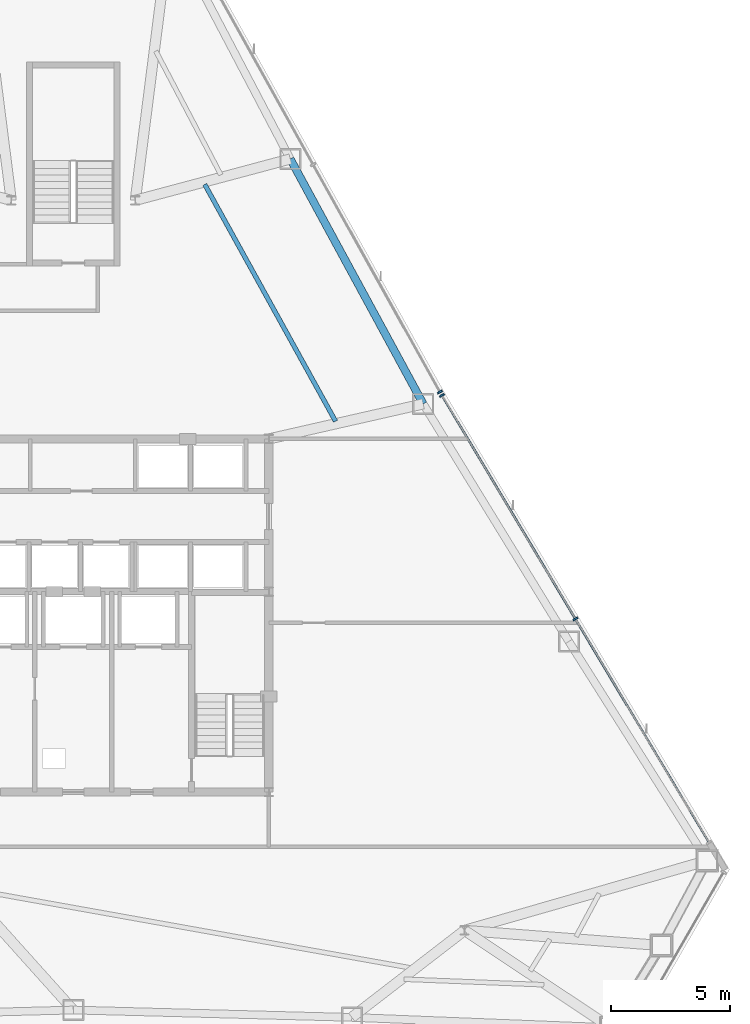
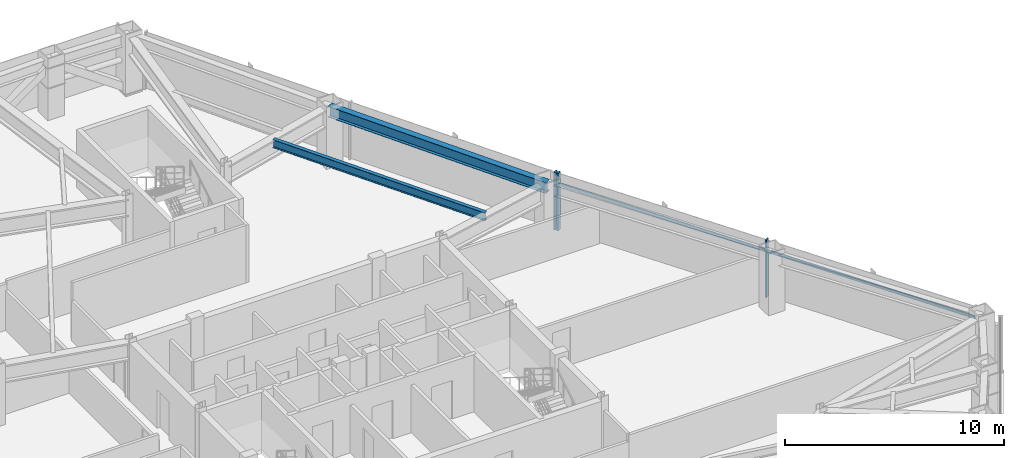
# One storey, part 7 of 13: 4 members, 2 beams, 2 elements without a shape of their own.
"""IFC4 building model written with IfcOpenShell, lengths in metres."""

from ifc_helpers import new_model, si_unit, direction, frame, origin, origin_2d, place, context, subcontext, project, spatial, rectangle, i_section, extrude, source, transform, mapped, material, layer, layer_set, material_profile, profile_set, type_object, type_shapes, element, aggregate, save


model = new_model("IFC4")

# Units and contexts
model_context = context("Model", 3, precision=1e-05, world=origin(), true_north=direction((0.0, 1.0)))
body_context = subcontext(model_context, "Body", "Model", "MODEL_VIEW")
ifc_project = project(units=[si_unit("LENGTHUNIT", "METRE"), si_unit("AREAUNIT", "SQUARE_METRE"), si_unit("VOLUMEUNIT", "CUBIC_METRE"), si_unit("PLANEANGLEUNIT", "RADIAN"), si_unit("MASSUNIT", "GRAM", prefix="KILO")], contexts=[model_context])

# Site, building, storey
site_placement = place(None, origin())
site = spatial("IfcSite", under=ifc_project, at=site_placement, CompositionType="ELEMENT")
building_placement = place(site_placement, origin())
building = spatial("IfcBuilding", under=site, at=building_placement, Name="Varakhsha Concourse Tower", CompositionType="ELEMENT")
storey_placement = place(building_placement, frame((0.0, 0.0, 147.050048828125)))
storey = spatial("IfcBuildingStorey", under=building, at=storey_placement, Name="L42", CompositionType="ELEMENT", Elevation=147.050048828125)

# Beams
ifc_material_1 = material(Name="Structural Steel ASTM A992 Grade 50", Category="steel")
ifc_material_profile_1 = material_profile(ifc_material_1, i_section(OverallWidth=0.19091796875, OverallDepth=0.45703125, WebThickness=0.009033203125, FlangeThickness=0.013916015625, at=origin_2d()), Name="W18X50")
ifc_profile_set_1 = profile_set([ifc_material_profile_1], Name="Structural Steel ASTM A992 Grade 50")
beam_type_1 = type_object("IfcBeamType", Name="BM-JST-W18X50", PredefinedType="JOIST", material=ifc_profile_set_1)
beam_1_placement = place(storey_placement, frame((50.99267578125, 31.9423828125, 2.9814453125), z_axis=(-0.483463831389, 0.875364337712, 0.0), x_axis=(-0.875364337712, -0.483463831389, 0.0)))
element("IfcBeam", 1, at=beam_1_placement, inside=storey, type_object=beam_type_1, Name="BM-TJST-L42-17", PredefinedType="JOIST", context=body_context, shape_type="SweptSolid", body=[
    extrude(i_section(OverallWidth=0.19091796875, OverallDepth=0.45703125, WebThickness=0.009033203125, FlangeThickness=0.013916015625, at=origin_2d()), origin(), (0.0, 0.0, 1.0), 11.33740234375),
])
ifc_material_profile_2 = material_profile(ifc_material_1, i_section(OverallWidth=0.323974609375, OverallDepth=0.611083984375, WebThickness=0.012939453125, FlangeThickness=0.01904296875, at=origin_2d()), Name="W24X104")
ifc_profile_set_2 = profile_set([ifc_material_profile_2], Name="Structural Steel ASTM A992 Grade 50")
beam_type_2 = type_object("IfcBeamType", Name="BM-SPAN-W24X104", PredefinedType="SPANDREL", material=ifc_profile_set_2)
beam_2_placement = place(storey_placement, frame((54.66748046875, 32.668212890625, 2.904541015625), z_axis=(-0.476994069137, 0.878906512667, 0.0), x_axis=(-0.878906512667, -0.476994069137, 0.0)))
element("IfcBeam", 2, at=beam_2_placement, inside=storey, type_object=beam_type_2, Name="BM-SPAN-L42-17", PredefinedType="SPANDREL", context=body_context, shape_type="SweptSolid", body=[
    extrude(i_section(OverallWidth=0.323974609375, OverallDepth=0.611083984375, WebThickness=0.012939453125, FlangeThickness=0.01904296875, at=origin_2d()), origin(), (0.0, 0.0, 1.0), 11.679931640625),
])

# Curtain wall, members
ifc_material_2 = material(Name="Anodised Bronze Architectural Aluminium AA 6063-T6", Category="aluminium")
ifc_layer = layer(ifc_material_2, 0.2099609375, Name="CW-SYS-04")
ifc_layer_set = layer_set([ifc_layer], Name="Anodised Bronze Architectural Aluminium AA 6063-T6")
curtain_wall_type = type_object("IfcCurtainWallType", Name="CW-SYS-04", PredefinedType="NOTDEFINED", material=ifc_layer_set)
curtain_wall_1_placement = place(storey_placement, origin())
curtain_wall_1 = element("IfcCurtainWall", 3, at=curtain_wall_1_placement, inside=storey, type_object=curtain_wall_type, Name="L42 Crystal Curtain Wall F8", PredefinedType="NOTDEFINED")
ifc_material_profile_3 = material_profile(ifc_material_2, rectangle(XDim=0.074951171875, YDim=0.219970703125, at=origin_2d()), Name="CWM-220X75")
ifc_profile_set_3 = profile_set([ifc_material_profile_3], Name="Anodised Bronze Architectural Aluminium AA 6063-T6")
member_type_1 = type_object("IfcMemberType", Name="CWM-220X75", PredefinedType="MULLION", material=ifc_profile_set_3)
shared_shape_1 = source(origin(), body_context, "Body", "SweptSolid", [
    extrude(rectangle(XDim=0.074951171875, YDim=0.219970703125, at=origin_2d()), origin(), (0.0, 0.0, 1.0), 3.2099609375),
])
type_shapes(member_type_1, [shared_shape_1])
member_1_placement = place(storey_placement, frame((55.44775390625, 33.023681640625, 0.0), z_axis=(0.0, 0.0, 1.0), x_axis=(0.512984034508, -0.858398147913, 0.0)))
member_1 = element("IfcMember", 4, at=member_1_placement, type_object=member_type_1, Name="CW-L42-F8 Mullion 00", PredefinedType="MULLION", context=body_context, shape_type="MappedRepresentation", body=[
    mapped(shared_shape_1, transform((0.0, 0.0, 0.0), scale=1.0)),
])
member_2_placement = place(storey_placement, frame((61.04638671875, 23.655029296875, 0.0), z_axis=(0.0, 0.0, 1.0), x_axis=(0.512984034508, -0.858398147913, 0.0)))
member_2 = element("IfcMember", 5, at=member_2_placement, type_object=member_type_1, Name="CW-L42-F8 Mullion 01", PredefinedType="MULLION", context=body_context, shape_type="MappedRepresentation", body=[
    mapped(shared_shape_1, transform((0.0, 0.0, 0.0), scale=1.0)),
])

# Curtain wall, member
curtain_wall_2_placement = place(storey_placement, origin())
curtain_wall_2 = element("IfcCurtainWall", 6, at=curtain_wall_2_placement, inside=storey, type_object=curtain_wall_type, Name="L42 Crystal Curtain Wall F9", PredefinedType="NOTDEFINED")
member_3_placement = place(storey_placement, frame((55.365234375, 33.166259765625, 0.0), z_axis=(0.0, 0.0, 1.0), x_axis=(0.48689953646, -0.873457979181, 0.0)))
member_3 = element("IfcMember", 7, at=member_3_placement, type_object=member_type_1, Name="CW-L42-F9 Mullion 02", PredefinedType="MULLION", context=body_context, shape_type="MappedRepresentation", body=[
    mapped(shared_shape_1, transform((0.0, 0.0, 0.0), scale=1.0)),
])
aggregate(curtain_wall_2, [member_3])

# Member
ifc_material_profile_4 = material_profile(ifc_material_2, rectangle(XDim=0.06494140625, YDim=0.159912109375, at=origin_2d()), Name="CWT-160X65")
ifc_profile_set_4 = profile_set([ifc_material_profile_4], Name="Anodised Bronze Architectural Aluminium AA 6063-T6")
member_type_2 = type_object("IfcMemberType", Name="CWT-160X65", PredefinedType="USERDEFINED", material=ifc_profile_set_4)
shared_shape_2 = source(origin(), body_context, "Body", "SweptSolid", [
    extrude(rectangle(XDim=0.06494140625, YDim=0.159912109375, at=origin_2d()), origin(), (0.0, 0.0, 1.0), 21.827880859375),
])
type_shapes(member_type_2, [shared_shape_2])
member_4_placement = place(storey_placement, frame((55.44775390625, 33.023681640625, 2.56005859375), z_axis=(0.512980068893, -0.858400517776, 0.0), x_axis=(0.858400517776, 0.512980068893, 0.0)))
member_4 = element("IfcMember", 8, at=member_4_placement, type_object=member_type_2, Name="CW-L42-F8 Transom 01", ObjectType="TRANSOM", PredefinedType="USERDEFINED", context=body_context, shape_type="MappedRepresentation", body=[
    mapped(shared_shape_2, transform((0.0, 0.0, 0.0), scale=1.0)),
])

aggregate(curtain_wall_1, [member_1, member_2, member_4])

save(model, "model.ifc")
